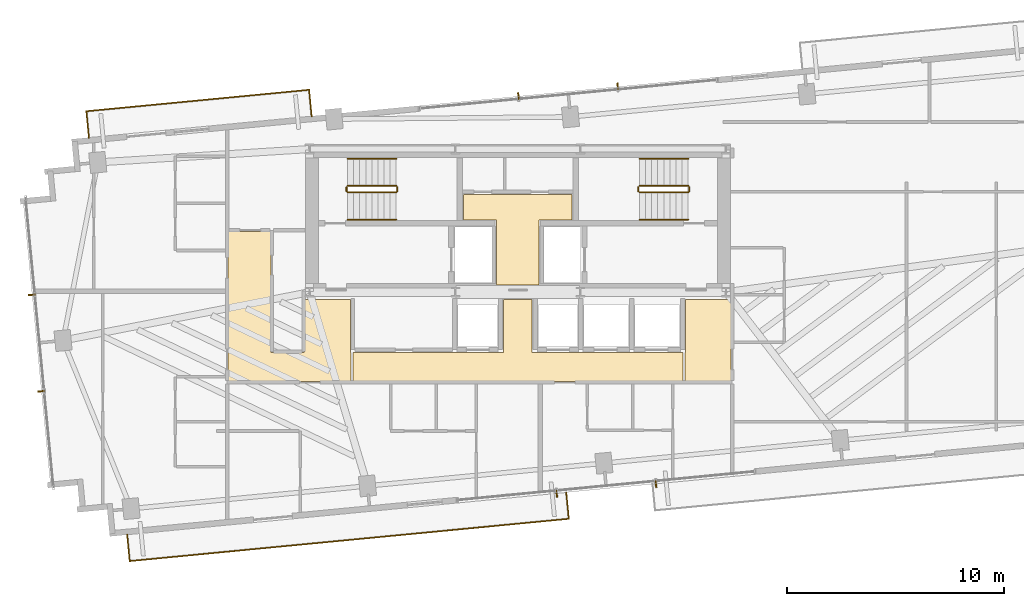
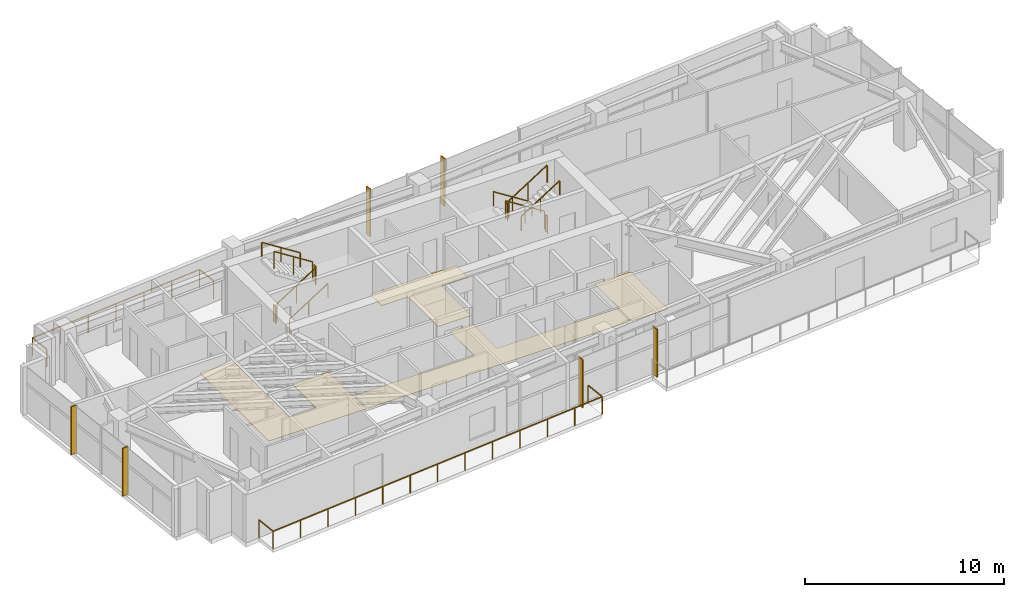
# One storey, part 17 of 18: 14 railings, 6 shading devices, 4 coverings.
"""IFC4 building model written with IfcOpenShell, lengths in metres."""

from ifc_helpers import new_model, si_unit, direction, frame, origin, origin_2d, place, context, subcontext, project, spatial, polyline, rectangle, outline, extrude, source, transform, mapped, material, layer, layer_set, type_object, type_shapes, element, save


model = new_model("IFC4")

# Units and contexts
model_context = context("Model", 3, precision=1e-05, world=origin(), true_north=direction((0.0, 1.0)))
body_context = subcontext(model_context, "Body", "Model", "MODEL_VIEW")
ifc_project = project(units=[si_unit("LENGTHUNIT", "METRE"), si_unit("AREAUNIT", "SQUARE_METRE"), si_unit("VOLUMEUNIT", "CUBIC_METRE"), si_unit("PLANEANGLEUNIT", "RADIAN"), si_unit("MASSUNIT", "GRAM", prefix="KILO")], contexts=[model_context])

# Site, building, storey
site_placement = place(None, origin())
site = spatial("IfcSite", under=ifc_project, at=site_placement, CompositionType="ELEMENT")
building_placement = place(site_placement, origin())
building = spatial("IfcBuilding", under=site, at=building_placement, Name="Astriad Promenade Condominiums", CompositionType="ELEMENT")
storey_placement = place(building_placement, frame((0.0, 0.0, 182.60009765625)))
storey = spatial("IfcBuildingStorey", under=building, at=storey_placement, Name="L52", CompositionType="ELEMENT", Elevation=182.60009765625)

# Coverings
ifc_material_1 = material(Name="Polished Lakefront Terrazzo Flooring")
ifc_layer = layer(ifc_material_1, 0.02001953125)
ifc_layer_set = layer_set([ifc_layer], Name="Polished Lakefront Terrazzo Flooring")
covering_type = type_object("IfcCoveringType", Name="COV-FLOR-TERRAZZO-20", PredefinedType="FLOORING", material=ifc_layer_set)
covering_1_placement = place(storey_placement, origin())
element("IfcCovering", 1, at=covering_1_placement, inside=storey, type_object=covering_type, Name="FLR-L52-CSL", PredefinedType="FLOORING", context=body_context, shape_type="SweptSolid", body=[
    extrude(outline(polyline([(36.97998046875, 20.699951171875), (36.97998046875, 17.739990234375), (35.02001953125, 17.739990234375), (35.02001953125, 20.699951171875), (35.019775390625, 20.703857421875), (35.019287109375, 20.707763671875), (35.018310546875, 20.711669921875), (35.01708984375, 20.71533203125), (35.015380859375, 20.718994140625), (35.01318359375, 20.72216796875), (35.010986328125, 20.725341796875), (35.00830078125, 20.728271484375), (35.00537109375, 20.73095703125), (35.002197265625, 20.7333984375), (34.998779296875, 20.7353515625), (34.995361328125, 20.737060546875), (34.99169921875, 20.73828125), (34.98779296875, 20.7392578125), (34.98388671875, 20.73974609375), (34.97998046875, 20.739990234375), (33.5, 20.739990234375), (33.5, 21.909912109375), (38.5, 21.909912109375), (38.5, 20.739990234375), (37.02001953125, 20.739990234375), (37.01611328125, 20.73974609375), (37.01220703125, 20.7392578125), (37.00830078125, 20.73828125), (37.004638671875, 20.737060546875), (37.001220703125, 20.7353515625), (36.997802734375, 20.7333984375), (36.99462890625, 20.73095703125), (36.99169921875, 20.728271484375), (36.989013671875, 20.725341796875), (36.98681640625, 20.72216796875), (36.984619140625, 20.718994140625), (36.98291015625, 20.71533203125), (36.981689453125, 20.711669921875), (36.980712890625, 20.707763671875), (36.980224609375, 20.703857421875), (36.97998046875, 20.699951171875)])), origin(), (0.0, 0.0, 1.0), 0.02001953125),
])
covering_2_placement = place(storey_placement, origin())
element("IfcCovering", 2, at=covering_2_placement, inside=storey, type_object=covering_type, Name="FLR-L52-LLB", PredefinedType="FLOORING", context=body_context, shape_type="SweptSolid", body=[
    extrude(outline(polyline([(32.9736328125, 14.6201171875), (32.974609375, 14.619140625), (32.977783203125, 14.61669921875), (32.981201171875, 14.61474609375), (32.984619140625, 14.613037109375), (32.98828125, 14.61181640625), (32.9921875, 14.61083984375), (32.99609375, 14.610107421875), (33.0, 14.610107421875), (35.300048828125, 14.610107421875), (35.303955078125, 14.610107421875), (35.307861328125, 14.61083984375), (35.3115234375, 14.61181640625), (35.315185546875, 14.613037109375), (35.31884765625, 14.61474609375), (35.322265625, 14.61669921875), (35.325439453125, 14.619140625), (35.328369140625, 14.62158203125), (35.330810546875, 14.62451171875), (35.333251953125, 14.627685546875), (35.335205078125, 14.631103515625), (35.3369140625, 14.634765625), (35.33837890625, 14.638427734375), (35.339111328125, 14.64208984375), (35.33984375, 14.64599609375), (35.340087890625, 14.64990234375), (35.340087890625, 17.06005859375), (36.659912109375, 17.06005859375), (36.659912109375, 14.64990234375), (36.66015625, 14.64599609375), (36.660888671875, 14.64208984375), (36.66162109375, 14.638427734375), (36.6630859375, 14.634765625), (36.664794921875, 14.631103515625), (36.666748046875, 14.627685546875), (36.669189453125, 14.62451171875), (36.671630859375, 14.62158203125), (36.674560546875, 14.619140625), (36.677734375, 14.61669921875), (36.68115234375, 14.61474609375), (36.684814453125, 14.613037109375), (36.6884765625, 14.61181640625), (36.692138671875, 14.61083984375), (36.696044921875, 14.610107421875), (36.699951171875, 14.610107421875), (43.610107421875, 14.610107421875), (43.610107421875, 13.2900390625), (28.389892578125, 13.2900390625), (28.389892578125, 14.6201171875), (32.9736328125, 14.6201171875)])), origin(), (0.0, 0.0, 1.0), 0.02001953125),
])
covering_3_placement = place(storey_placement, origin())
element("IfcCovering", 3, at=covering_3_placement, inside=storey, type_object=covering_type, Name="FLR-L52-COR-1", PredefinedType="FLOORING", context=body_context, shape_type="SweptSolid", body=[
    extrude(outline(polyline([(43.699951171875, 13.2900390625), (43.699951171875, 14.610107421875), (43.703857421875, 14.610107421875), (43.707763671875, 14.61083984375), (43.711669921875, 14.61181640625), (43.71533203125, 14.613037109375), (43.718994140625, 14.61474609375), (43.72216796875, 14.61669921875), (43.725341796875, 14.619140625), (43.728271484375, 14.62158203125), (43.73095703125, 14.62451171875), (43.7333984375, 14.627685546875), (43.7353515625, 14.631103515625), (43.737060546875, 14.634765625), (43.73828125, 14.638427734375), (43.7392578125, 14.64208984375), (43.73974609375, 14.64599609375), (43.739990234375, 14.64990234375), (43.739990234375, 17.06005859375), (45.840087890625, 17.06005859375), (45.840087890625, 13.2900390625), (43.699951171875, 13.2900390625)])), origin(), (0.0, 0.0, 1.0), 0.02001953125),
])
covering_4_placement = place(storey_placement, origin())
element("IfcCovering", 4, at=covering_4_placement, inside=storey, type_object=covering_type, Name="FLR-L52-COR-2", PredefinedType="FLOORING", context=body_context, shape_type="SweptSolid", body=[
    extrude(outline(polyline([(28.300048828125, 13.2900390625), (22.639892578125, 13.2900390625), (22.639892578125, 20.2099609375), (24.610107421875, 20.2099609375), (24.610107421875, 14.659912109375), (24.610107421875, 14.656005859375), (24.61083984375, 14.652099609375), (24.61181640625, 14.6484375), (24.613037109375, 14.644775390625), (24.61474609375, 14.64111328125), (24.61669921875, 14.6376953125), (24.619140625, 14.634521484375), (24.62158203125, 14.631591796875), (24.62451171875, 14.629150390625), (24.627685546875, 14.626708984375), (24.631103515625, 14.624755859375), (24.634765625, 14.623046875), (24.638427734375, 14.62158203125), (24.64208984375, 14.620849609375), (24.64599609375, 14.6201171875), (24.64990234375, 14.6201171875), (26.1201171875, 14.6201171875), (26.123779296875, 14.6201171875), (26.127685546875, 14.620849609375), (26.131591796875, 14.62158203125), (26.13525390625, 14.623046875), (26.138916015625, 14.624755859375), (26.14208984375, 14.626708984375), (26.1455078125, 14.629150390625), (26.148193359375, 14.631591796875), (26.15087890625, 14.634521484375), (26.1533203125, 14.6376953125), (26.1552734375, 14.64111328125), (26.156982421875, 14.644775390625), (26.158203125, 14.6484375), (26.1591796875, 14.652099609375), (26.159912109375, 14.656005859375), (26.159912109375, 14.659912109375), (26.159912109375, 17.06005859375), (28.280029296875, 17.06005859375), (28.280029296875, 14.659912109375), (28.2802734375, 14.656005859375), (28.28076171875, 14.652099609375), (28.28173828125, 14.6484375), (28.282958984375, 14.644775390625), (28.28466796875, 14.64111328125), (28.28662109375, 14.6376953125), (28.2890625, 14.634521484375), (28.291748046875, 14.631591796875), (28.294677734375, 14.629150390625), (28.2978515625, 14.626708984375), (28.300048828125, 14.62548828125), (28.300048828125, 13.2900390625)])), origin(), (0.0, 0.0, 1.0), 0.02001953125),
])

# Shading devices
ifc_material_2 = material(Name="Anodised aluminium 6063-T6 Black Fin", Category="aluminium")
shading_device_type = type_object("IfcShadingDeviceType", Name="FIN-BLACK-260", PredefinedType="USERDEFINED", material=ifc_material_2)
shared_shape_1 = source(origin(), body_context, "Body", "SweptSolid", [
    extrude(rectangle(XDim=0.06494140625, YDim=0.320068359375, at=origin_2d()), origin(), (0.0, 0.0, 1.0), 2.93994140625),
])
type_shapes(shading_device_type, [shared_shape_1])
for number, where, z_axis, x_axis, name in (
    (5, (14.021484375, 12.83203125, 0.0), (0.0, 0.0, 1.0), (-0.09584575252, 0.995396198367, 0.0), "CW-L52-W-FIN-01"),
    (6, (13.59326171875, 17.278076171875, 0.0), (0.0, 0.0, 1.0), (-0.09584575252, 0.995396198367, 0.0), "CW-L52-W-FIN-02"),
    (7, (36.02783203125, 26.447265625, 0.0), (0.0, 0.0, 1.0), (0.995396198367, 0.09584575252, 0.0), "CW-L52-N-FIN-01"),
    (8, (40.606689453125, 26.88818359375, 0.0), (0.0, 0.0, 1.0), (0.995396198367, 0.09584575252, 0.0), "CW-L52-N-FIN-02"),
    (9, (42.3720703125, 8.552734375, 0.0), (0.0, 0.0, 1.0), (-0.995396198367, -0.09584575252, 0.0), "CW-L52-S-FIN-01"),
    (10, (37.793212890625, 8.11181640625, 0.0), (0.0, 0.0, 1.0), (-0.995396198367, -0.09584575252, 0.0), "CW-L52-S-FIN-02"),
):
    element("IfcShadingDevice", number, at=place(storey_placement, frame(where, z_axis=z_axis, x_axis=x_axis)), inside=storey, type_object=shading_device_type, Name=name, ObjectType="FIN", PredefinedType="USERDEFINED", context=body_context, shape_type="MappedRepresentation", body=[
        mapped(shared_shape_1, transform((0.0, 0.0, 0.0), scale=1.0)),
    ])

# Railings
ifc_material_3 = material(Name="Laminated Glass and Stainless Steel Balustrade", Category="steel")
railing_type_1 = type_object("IfcRailingType", Name="GRD-BALC-1120", PredefinedType="BALUSTRADE", material=ifc_material_3)
shared_shape_2 = source(origin(), body_context, "Body", "SweptSolid", [
    extrude(rectangle(XDim=0.048095703125, YDim=0.048095703125, at=origin_2d()), frame((0.0, 0.0, 1.09619140625), z_axis=(0.095857307208, -0.99539508571, 0.0), x_axis=(0.99539508571, 0.095857307208, 0.0)), (0.0, 0.0, 1.0), 1.219970703125),
    extrude(rectangle(XDim=0.048095703125, YDim=0.048095703125, at=origin_2d()), frame((0.116943359375, -1.21435546875, 1.09619140625), z_axis=(0.995395671195, 0.095851227258, 0.0), x_axis=(-0.095851227258, 0.995395671195, 0.0)), (0.0, 0.0, 1.0), 20.341064453125),
    extrude(rectangle(XDim=0.048095703125, YDim=0.048095703125, at=origin_2d()), frame((20.3642578125, 0.7353515625, 1.09619140625), z_axis=(-0.095857307208, 0.99539508571, 0.0), x_axis=(-0.99539508571, -0.095857307208, 0.0)), (0.0, 0.0, 1.0), 1.219970703125),
    extrude(rectangle(XDim=0.0419921875, YDim=0.0419921875, at=origin_2d()), origin(), (0.0, 0.0, 1.0), 1.072021484375),
    extrude(rectangle(XDim=0.0419921875, YDim=0.0419921875, at=origin_2d()), frame((0.116943359375, -1.21435546875, 0.0)), (0.0, 0.0, 1.0), 1.072021484375),
    extrude(rectangle(XDim=0.0419921875, YDim=0.0419921875, at=origin_2d()), frame((1.80419921875, -1.0517578125, 0.0)), (0.0, 0.0, 1.0), 1.072021484375),
    extrude(rectangle(XDim=0.0419921875, YDim=0.0419921875, at=origin_2d()), frame((3.491455078125, -0.889404296875, 0.0)), (0.0, 0.0, 1.0), 1.072021484375),
    extrude(rectangle(XDim=0.0419921875, YDim=0.0419921875, at=origin_2d()), frame((5.1787109375, -0.72705078125, 0.0)), (0.0, 0.0, 1.0), 1.072021484375),
    extrude(rectangle(XDim=0.0419921875, YDim=0.0419921875, at=origin_2d()), frame((6.865966796875, -0.564453125, 0.0)), (0.0, 0.0, 1.0), 1.072021484375),
    extrude(rectangle(XDim=0.0419921875, YDim=0.0419921875, at=origin_2d()), frame((8.55322265625, -0.40185546875, 0.0)), (0.0, 0.0, 1.0), 1.072021484375),
    extrude(rectangle(XDim=0.0419921875, YDim=0.0419921875, at=origin_2d()), frame((10.24072265625, -0.239501953125, 0.0)), (0.0, 0.0, 1.0), 1.072021484375),
    extrude(rectangle(XDim=0.0419921875, YDim=0.0419921875, at=origin_2d()), frame((11.927978515625, -0.0771484375, 0.0)), (0.0, 0.0, 1.0), 1.072021484375),
    extrude(rectangle(XDim=0.0419921875, YDim=0.0419921875, at=origin_2d()), frame((13.615234375, 0.08544921875, 0.0)), (0.0, 0.0, 1.0), 1.072021484375),
    extrude(rectangle(XDim=0.0419921875, YDim=0.0419921875, at=origin_2d()), frame((15.302490234375, 0.248046875, 0.0)), (0.0, 0.0, 1.0), 1.072021484375),
    extrude(rectangle(XDim=0.0419921875, YDim=0.0419921875, at=origin_2d()), frame((16.98974609375, 0.410400390625, 0.0)), (0.0, 0.0, 1.0), 1.072021484375),
    extrude(rectangle(XDim=0.0419921875, YDim=0.0419921875, at=origin_2d()), frame((18.677001953125, 0.57275390625, 0.0)), (0.0, 0.0, 1.0), 1.072021484375),
    extrude(rectangle(XDim=0.0419921875, YDim=0.0419921875, at=origin_2d()), frame((20.3642578125, 0.7353515625, 0.0)), (0.0, 0.0, 1.0), 1.072021484375),
    extrude(rectangle(XDim=0.0419921875, YDim=0.0419921875, at=origin_2d()), frame((20.247314453125, 1.94970703125, 0.0)), (0.0, 0.0, 1.0), 1.072021484375),
])
railing_1_placement = place(storey_placement, frame((17.987060546875, 6.21484375, 0.0)))
element("IfcRailing", 11, at=railing_1_placement, inside=storey, type_object=railing_type_1, Name="GRD-BALC-L52-SW", PredefinedType="BALUSTRADE", context=body_context, shape_type="MappedRepresentation", body=[
    mapped(shared_shape_2, transform((0.0, 0.0, 0.0), scale=1.0)),
])
shared_shape_3 = source(origin(), body_context, "Body", "SweptSolid", [
    extrude(rectangle(XDim=0.048095703125, YDim=0.048095703125, at=origin_2d()), frame((0.0, 0.0, 1.09619140625), z_axis=(-0.095857307208, 0.99539508571, 0.0), x_axis=(-0.99539508571, -0.095857307208, 0.0)), (0.0, 0.0, 1.0), 1.219970703125),
    extrude(rectangle(XDim=0.048095703125, YDim=0.048095703125, at=origin_2d()), frame((-0.116943359375, 1.21435546875, 1.09619140625), z_axis=(-0.995394623586, -0.095862105842, 0.0), x_axis=(0.095862105842, -0.995394623586, 0.0)), (0.0, 0.0, 1.0), 10.317138671875),
    extrude(rectangle(XDim=0.048095703125, YDim=0.048095703125, at=origin_2d()), frame((-10.386474609375, 0.225341796875, 1.09619140625), z_axis=(0.095876405589, -0.995393246336, 0.0), x_axis=(0.995393246336, 0.095876405589, 0.0)), (0.0, 0.0, 1.0), 1.2197265625),
    extrude(rectangle(XDim=0.0419921875, YDim=0.0419921875, at=origin_2d()), origin(), (0.0, 0.0, 1.0), 1.072021484375),
    extrude(rectangle(XDim=0.0419921875, YDim=0.0419921875, at=origin_2d()), frame((-0.116943359375, 1.21435546875, 0.0)), (0.0, 0.0, 1.0), 1.072021484375),
    extrude(rectangle(XDim=0.0419921875, YDim=0.0419921875, at=origin_2d()), frame((-1.82861328125, 1.049560546875, 0.0)), (0.0, 0.0, 1.0), 1.072021484375),
    extrude(rectangle(XDim=0.0419921875, YDim=0.0419921875, at=origin_2d()), frame((-3.5400390625, 0.884765625, 0.0)), (0.0, 0.0, 1.0), 1.072021484375),
    extrude(rectangle(XDim=0.0419921875, YDim=0.0419921875, at=origin_2d()), frame((-5.251708984375, 0.7197265625, 0.0)), (0.0, 0.0, 1.0), 1.072021484375),
    extrude(rectangle(XDim=0.0419921875, YDim=0.0419921875, at=origin_2d()), frame((-6.96337890625, 0.554931640625, 0.0)), (0.0, 0.0, 1.0), 1.072021484375),
    extrude(rectangle(XDim=0.0419921875, YDim=0.0419921875, at=origin_2d()), frame((-8.6748046875, 0.39013671875, 0.0)), (0.0, 0.0, 1.0), 1.072021484375),
    extrude(rectangle(XDim=0.0419921875, YDim=0.0419921875, at=origin_2d()), frame((-10.386474609375, 0.225341796875, 0.0)), (0.0, 0.0, 1.0), 1.072021484375),
    extrude(rectangle(XDim=0.0419921875, YDim=0.0419921875, at=origin_2d()), frame((-10.26953125, -0.98876953125, 0.0)), (0.0, 0.0, 1.0), 1.072021484375),
])
type_shapes(railing_type_1, [shared_shape_2, shared_shape_3])
railing_2_placement = place(storey_placement, frame((26.492919921875, 25.51904296875, 0.0)))
element("IfcRailing", 12, at=railing_2_placement, inside=storey, type_object=railing_type_1, Name="GRD-BALC-L52-NW", PredefinedType="BALUSTRADE", context=body_context, shape_type="MappedRepresentation", body=[
    mapped(shared_shape_3, transform((0.0, 0.0, 0.0), scale=1.0)),
])
ifc_material_4 = material(Name="Painted Galvanised Steel Guardrail", Category="steel")
railing_type_2 = type_object("IfcRailingType", Name="GRD-STAIR-1100", PredefinedType="GUARDRAIL", material=ifc_material_4)
shared_shape_4 = source(origin(), body_context, "Body", "SweptSolid", [
    extrude(rectangle(XDim=0.048095703125, YDim=0.048095703125, at=origin_2d()), frame((0.0, 0.0, 1.076171875), z_axis=(0.0, 1.0, 0.0), x_axis=(-1.0, 0.0, 0.0)), (0.0, 0.0, 1.0), 0.199951171875),
    extrude(rectangle(XDim=0.0419921875, YDim=0.0419921875, at=origin_2d()), origin(), (0.0, 0.0, 1.0), 1.052001953125),
    extrude(rectangle(XDim=0.0419921875, YDim=0.0419921875, at=origin_2d()), frame((0.0, 0.199951171875, 0.0)), (0.0, 0.0, 1.0), 1.052001953125),
])
for number, where, name in (
    (13, (30.43994140625, 22.050048828125, 1.599853515625), "L52 ST-1 stair guard 2"),
    (14, (28.10009765625, 22.050048828125, 0.0), "L52 ST-1 stair guard 4"),
):
    element("IfcRailing", number, at=place(storey_placement, frame(where)), inside=storey, type_object=railing_type_2, Name=name, PredefinedType="GUARDRAIL", context=body_context, shape_type="MappedRepresentation", body=[
        mapped(shared_shape_4, transform((0.0, 0.0, 0.0), scale=1.0)),
    ])
shared_shape_5 = source(origin(), body_context, "Body", "SweptSolid", [
    extrude(rectangle(XDim=0.048095703125, YDim=0.048095703125, at=origin_2d()), frame((0.0, 0.0, 1.076171875), z_axis=(0.84418770128, 0.0, 0.536047689118), x_axis=(0.0, 1.0, 0.0)), (0.0, 0.0, 1.0), 2.6533203125),
    extrude(rectangle(XDim=0.0419921875, YDim=0.0419921875, at=origin_2d()), origin(), (0.0, 0.0, 1.0), 1.052001953125),
    extrude(rectangle(XDim=0.0419921875, YDim=0.0419921875, at=origin_2d()), frame((1.1201171875, 0.0, 0.711181640625)), (0.0, 0.0, 1.0), 1.052001953125),
    extrude(rectangle(XDim=0.0419921875, YDim=0.0419921875, at=origin_2d()), frame((2.239990234375, 0.0, 1.42236328125)), (0.0, 0.0, 1.0), 1.052001953125),
])
railing_3_placement = place(storey_placement, frame((41.610107421875, 22.0, 1.777587890625)))
element("IfcRailing", 15, at=railing_3_placement, inside=storey, type_object=railing_type_2, Name="L52 ST-2 stair guard 3", PredefinedType="GUARDRAIL", context=body_context, shape_type="MappedRepresentation", body=[
    mapped(shared_shape_5, transform((0.0, 0.0, 0.0), scale=1.0)),
])
shared_shape_6 = source(origin(), body_context, "Body", "SweptSolid", [
    extrude(rectangle(XDim=0.048095703125, YDim=0.048095703125, at=origin_2d()), frame((0.0, 0.0, 1.076171875), z_axis=(-0.8442293374, 0.0, 0.53598211339), x_axis=(0.0, -1.0, 0.0)), (0.0, 0.0, 1.0), 2.6533203125),
    extrude(rectangle(XDim=0.0419921875, YDim=0.0419921875, at=origin_2d()), origin(), (0.0, 0.0, 1.0), 1.052001953125),
    extrude(rectangle(XDim=0.0419921875, YDim=0.0419921875, at=origin_2d()), frame((-1.1201171875, 0.0, 0.7109375)), (0.0, 0.0, 1.0), 1.052001953125),
    extrude(rectangle(XDim=0.0419921875, YDim=0.0419921875, at=origin_2d()), frame((-2.239990234375, 0.0, 1.422119140625)), (0.0, 0.0, 1.0), 1.052001953125),
])
railing_4_placement = place(storey_placement, frame((43.85009765625, 22.300048828125, 0.177734375)))
element("IfcRailing", 16, at=railing_4_placement, inside=storey, type_object=railing_type_2, Name="L52 ST-2 stair guard 1", PredefinedType="GUARDRAIL", context=body_context, shape_type="MappedRepresentation", body=[
    mapped(shared_shape_6, transform((0.0, 0.0, 0.0), scale=1.0)),
])
ifc_material_5 = material(Name="Brushed Stainless Steel Handrail", Category="steel")
railing_type_3 = type_object("IfcRailingType", Name="HRL-STAIR-920", PredefinedType="HANDRAIL", material=ifc_material_5)
shared_shape_7 = source(origin(), body_context, "Body", "SweptSolid", [
    extrude(rectangle(XDim=0.048095703125, YDim=0.048095703125, at=origin_2d()), frame((0.0, 0.0, 0.8759765625), z_axis=(0.84418770128, 0.0, 0.536047689118), x_axis=(0.0, 1.0, 0.0)), (0.0, 0.0, 1.0), 2.6533203125),
    extrude(rectangle(XDim=0.0419921875, YDim=0.0419921875, at=origin_2d()), origin(), (0.0, 0.0, 1.0), 0.851806640625),
    extrude(rectangle(XDim=0.0419921875, YDim=0.0419921875, at=origin_2d()), frame((1.1201171875, 0.0, 0.711181640625)), (0.0, 0.0, 1.0), 0.851806640625),
    extrude(rectangle(XDim=0.0419921875, YDim=0.0419921875, at=origin_2d()), frame((2.239990234375, 0.0, 1.42236328125)), (0.0, 0.0, 1.0), 0.851806640625),
])
railing_5_placement = place(storey_placement, frame((41.610107421875, 20.75, 1.777587890625)))
element("IfcRailing", 17, at=railing_5_placement, inside=storey, type_object=railing_type_3, Name="L52 ST-2 stair handrail 2", PredefinedType="HANDRAIL", context=body_context, shape_type="MappedRepresentation", body=[
    mapped(shared_shape_7, transform((0.0, 0.0, 0.0), scale=1.0)),
])
shared_shape_8 = source(origin(), body_context, "Body", "SweptSolid", [
    extrude(rectangle(XDim=0.048095703125, YDim=0.048095703125, at=origin_2d()), frame((0.0, 0.0, 0.8759765625), z_axis=(-0.8442293374, 0.0, 0.53598211339), x_axis=(0.0, -1.0, 0.0)), (0.0, 0.0, 1.0), 2.6533203125),
    extrude(rectangle(XDim=0.0419921875, YDim=0.0419921875, at=origin_2d()), origin(), (0.0, 0.0, 1.0), 0.851806640625),
    extrude(rectangle(XDim=0.0419921875, YDim=0.0419921875, at=origin_2d()), frame((-1.1201171875, 0.0, 0.7109375)), (0.0, 0.0, 1.0), 0.851806640625),
    extrude(rectangle(XDim=0.0419921875, YDim=0.0419921875, at=origin_2d()), frame((-2.239990234375, 0.0, 1.422119140625)), (0.0, 0.0, 1.0), 0.851806640625),
])
railing_6_placement = place(storey_placement, frame((43.85009765625, 23.550048828125, 0.177734375)))
element("IfcRailing", 18, at=railing_6_placement, inside=storey, type_object=railing_type_3, Name="L52 ST-2 stair handrail 1", PredefinedType="HANDRAIL", context=body_context, shape_type="MappedRepresentation", body=[
    mapped(shared_shape_8, transform((0.0, 0.0, 0.0), scale=1.0)),
])
shared_shape_9 = source(origin(), body_context, "Body", "SweptSolid", [
    extrude(rectangle(XDim=0.048095703125, YDim=0.048095703125, at=origin_2d()), frame((0.0, 0.0, 1.076171875), z_axis=(0.8442293374, 0.0, 0.53598211339), x_axis=(0.0, 1.0, 0.0)), (0.0, 0.0, 1.0), 2.6533203125),
    extrude(rectangle(XDim=0.0419921875, YDim=0.0419921875, at=origin_2d()), origin(), (0.0, 0.0, 1.0), 1.052001953125),
    extrude(rectangle(XDim=0.0419921875, YDim=0.0419921875, at=origin_2d()), frame((1.1201171875, 0.0, 0.7109375)), (0.0, 0.0, 1.0), 1.052001953125),
    extrude(rectangle(XDim=0.0419921875, YDim=0.0419921875, at=origin_2d()), frame((2.239990234375, 0.0, 1.422119140625)), (0.0, 0.0, 1.0), 1.052001953125),
])
railing_7_placement = place(storey_placement, frame((28.14990234375, 22.0, 0.177734375)))
element("IfcRailing", 19, at=railing_7_placement, inside=storey, type_object=railing_type_2, Name="L52 ST-1 stair guard 1", PredefinedType="GUARDRAIL", context=body_context, shape_type="MappedRepresentation", body=[
    mapped(shared_shape_9, transform((0.0, 0.0, 0.0), scale=1.0)),
])
shared_shape_10 = source(origin(), body_context, "Body", "SweptSolid", [
    extrude(rectangle(XDim=0.048095703125, YDim=0.048095703125, at=origin_2d()), frame((0.0, 0.0, 1.076171875), z_axis=(-0.84418770128, 0.0, 0.536047689118), x_axis=(0.0, -1.0, 0.0)), (0.0, 0.0, 1.0), 2.6533203125),
    extrude(rectangle(XDim=0.0419921875, YDim=0.0419921875, at=origin_2d()), origin(), (0.0, 0.0, 1.0), 1.052001953125),
    extrude(rectangle(XDim=0.0419921875, YDim=0.0419921875, at=origin_2d()), frame((-1.1201171875, 0.0, 0.711181640625)), (0.0, 0.0, 1.0), 1.052001953125),
    extrude(rectangle(XDim=0.0419921875, YDim=0.0419921875, at=origin_2d()), frame((-2.239990234375, 0.0, 1.42236328125)), (0.0, 0.0, 1.0), 1.052001953125),
])
railing_8_placement = place(storey_placement, frame((30.389892578125, 22.300048828125, 1.777587890625)))
element("IfcRailing", 20, at=railing_8_placement, inside=storey, type_object=railing_type_2, Name="L52 ST-1 stair guard 3", PredefinedType="GUARDRAIL", context=body_context, shape_type="MappedRepresentation", body=[
    mapped(shared_shape_10, transform((0.0, 0.0, 0.0), scale=1.0)),
])
shared_shape_11 = source(origin(), body_context, "Body", "SweptSolid", [
    extrude(rectangle(XDim=0.048095703125, YDim=0.048095703125, at=origin_2d()), frame((0.0, 0.0, 0.8759765625), z_axis=(0.8442293374, 0.0, 0.53598211339), x_axis=(0.0, 1.0, 0.0)), (0.0, 0.0, 1.0), 2.6533203125),
    extrude(rectangle(XDim=0.0419921875, YDim=0.0419921875, at=origin_2d()), origin(), (0.0, 0.0, 1.0), 0.851806640625),
    extrude(rectangle(XDim=0.0419921875, YDim=0.0419921875, at=origin_2d()), frame((1.1201171875, 0.0, 0.7109375)), (0.0, 0.0, 1.0), 0.851806640625),
    extrude(rectangle(XDim=0.0419921875, YDim=0.0419921875, at=origin_2d()), frame((2.239990234375, 0.0, 1.422119140625)), (0.0, 0.0, 1.0), 0.851806640625),
])
railing_9_placement = place(storey_placement, frame((28.14990234375, 20.75, 0.177734375)))
element("IfcRailing", 21, at=railing_9_placement, inside=storey, type_object=railing_type_3, Name="L52 ST-1 stair handrail 1", PredefinedType="HANDRAIL", context=body_context, shape_type="MappedRepresentation", body=[
    mapped(shared_shape_11, transform((0.0, 0.0, 0.0), scale=1.0)),
])
shared_shape_12 = source(origin(), body_context, "Body", "SweptSolid", [
    extrude(rectangle(XDim=0.048095703125, YDim=0.048095703125, at=origin_2d()), frame((0.0, 0.0, 0.8759765625), z_axis=(-0.84418770128, 0.0, 0.536047689118), x_axis=(0.0, -1.0, 0.0)), (0.0, 0.0, 1.0), 2.6533203125),
    extrude(rectangle(XDim=0.0419921875, YDim=0.0419921875, at=origin_2d()), origin(), (0.0, 0.0, 1.0), 0.851806640625),
    extrude(rectangle(XDim=0.0419921875, YDim=0.0419921875, at=origin_2d()), frame((-1.1201171875, 0.0, 0.711181640625)), (0.0, 0.0, 1.0), 0.851806640625),
    extrude(rectangle(XDim=0.0419921875, YDim=0.0419921875, at=origin_2d()), frame((-2.239990234375, 0.0, 1.42236328125)), (0.0, 0.0, 1.0), 0.851806640625),
])
type_shapes(railing_type_3, [shared_shape_7, shared_shape_8, shared_shape_11, shared_shape_12])
railing_10_placement = place(storey_placement, frame((30.389892578125, 23.550048828125, 1.777587890625)))
element("IfcRailing", 22, at=railing_10_placement, inside=storey, type_object=railing_type_3, Name="L52 ST-1 stair handrail 2", PredefinedType="HANDRAIL", context=body_context, shape_type="MappedRepresentation", body=[
    mapped(shared_shape_12, transform((0.0, 0.0, 0.0), scale=1.0)),
])
shared_shape_13 = source(origin(), body_context, "Body", "SweptSolid", [
    extrude(rectangle(XDim=0.048095703125, YDim=0.048095703125, at=origin_2d()), frame((0.0, 0.0, 1.076171875), z_axis=(0.0, -1.0, 0.0), x_axis=(1.0, 0.0, 0.0)), (0.0, 0.0, 1.0), 0.199951171875),
    extrude(rectangle(XDim=0.0419921875, YDim=0.0419921875, at=origin_2d()), origin(), (0.0, 0.0, 1.0), 1.052001953125),
    extrude(rectangle(XDim=0.0419921875, YDim=0.0419921875, at=origin_2d()), frame((0.0, -0.199951171875, 0.0)), (0.0, 0.0, 1.0), 1.052001953125),
])
type_shapes(railing_type_2, [shared_shape_4, shared_shape_5, shared_shape_6, shared_shape_9, shared_shape_10, shared_shape_13])
for number, where, name in (
    (23, (41.56005859375, 22.25, 1.599853515625), "L52 ST-2 stair guard 2"),
    (24, (43.89990234375, 22.25, 0.0), "L52 ST-2 stair guard 4"),
):
    element("IfcRailing", number, at=place(storey_placement, frame(where)), inside=storey, type_object=railing_type_2, Name=name, PredefinedType="GUARDRAIL", context=body_context, shape_type="MappedRepresentation", body=[
        mapped(shared_shape_13, transform((0.0, 0.0, 0.0), scale=1.0)),
    ])

save(model, "model.ifc")
